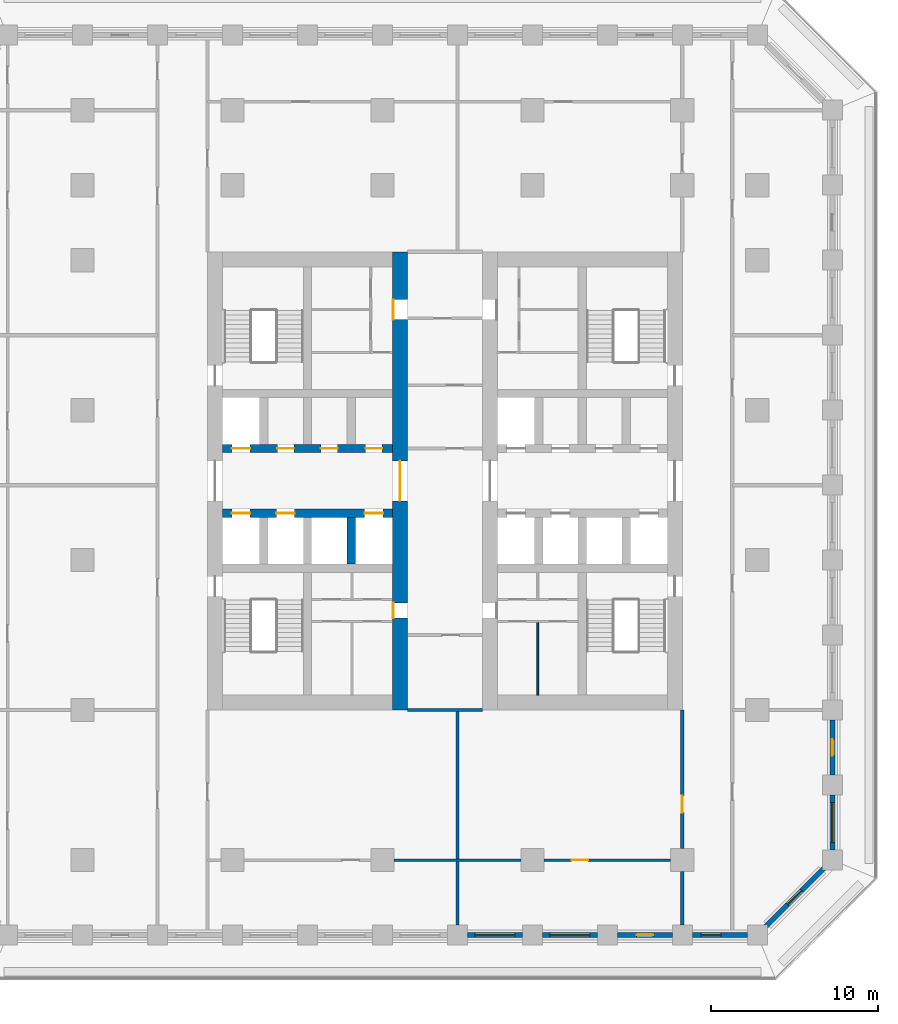
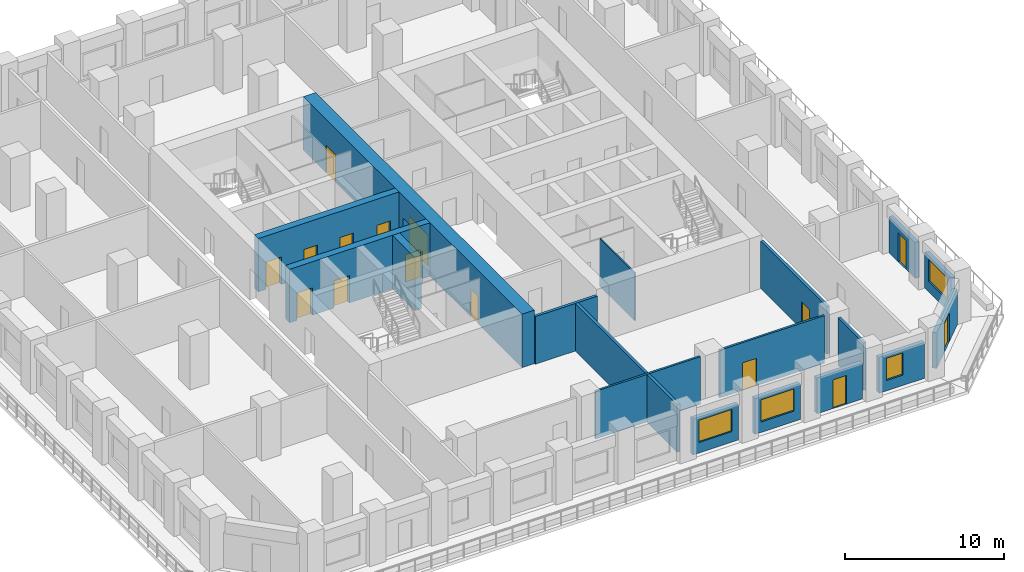
# One storey, part 4 of 16: 18 walls, 15 doors, 4 windows, 19 openings.
"""IFC4 building model written with IfcOpenShell, lengths in metres."""

from ifc_helpers import new_model, si_unit, direction, frame, frame_2d, origin, place, context, subcontext, project, spatial, rectangle, extrude, material, layer, layer_set, type_object, element, fill, save


model = new_model("IFC4")

# Units and contexts
model_context = context("Model", 3, precision=1e-05, world=origin(), true_north=direction((0.0, 1.0)))
body_context = subcontext(model_context, "Body", "Model", "MODEL_VIEW")
ifc_project = project(units=[si_unit("LENGTHUNIT", "METRE"), si_unit("AREAUNIT", "SQUARE_METRE"), si_unit("VOLUMEUNIT", "CUBIC_METRE"), si_unit("PLANEANGLEUNIT", "RADIAN"), si_unit("MASSUNIT", "GRAM", prefix="KILO")], contexts=[model_context])

# Site, building, storey
site_placement = place(None, origin())
site = spatial("IfcSite", under=ifc_project, at=site_placement, CompositionType="ELEMENT")
building_placement = place(site_placement, origin())
building = spatial("IfcBuilding", under=site, at=building_placement, Name="Corbel Stack Research Tower", CompositionType="ELEMENT")
storey_placement = place(building_placement, frame((0.0, 0.0, 137.199951171875)))
storey = spatial("IfcBuildingStorey", under=building, at=storey_placement, Name="L31", CompositionType="ELEMENT", Elevation=137.199951171875)

# Wall, openings, doors
ifc_material_1 = material(Name="Concrete C70/85", Category="concrete")
ifc_layer_1 = layer(ifc_material_1, 0.5)
ifc_layer_set_1 = layer_set([ifc_layer_1], Name="Concrete C70/85")
wall_type_1 = type_object("IfcWallType", Name="CW-500-70", PredefinedType="SHEAR", material=ifc_layer_set_1)
wall_1_placement = place(storey_placement, frame((-9.60009765625, 2.800048828125, 0.0), z_axis=(0.0, 0.0, 1.0), x_axis=(1.0, 0.0, 0.0)))
wall_1 = element("IfcWall", 1, at=wall_1_placement, inside=storey, type_object=wall_type_1, Name="West core wall, lobby south L31", PredefinedType="SHEAR", context=body_context, shape_type="SweptSolid", body=[
    extrude(rectangle(XDim=10.2001953125, YDim=0.5, at=frame_2d((5.10009765625, 0.0))), origin(), (0.0, 0.0, 1.0), 4.10009765625),
])
opening_1_placement = place(wall_1_placement, frame((0.5625, 0.0, 0.0)))
opening_1 = element("IfcOpeningElement", 2, at=opening_1_placement, cuts=wall_1, Name="Opening LD-FS1", PredefinedType="OPENING", context=body_context, shape_type="SweptSolid", body=[
    extrude(rectangle(XDim=1.10009765625, YDim=2.10009765625, at=frame_2d((0.550048828125, 1.050048828125))), frame((0.0, 0.260009765625, 0.0), z_axis=(0.0, -1.0, 0.0), x_axis=(1.0, 0.0, 0.0)), (0.0, 0.0, 1.0), 0.52001953125),
])
opening_2_placement = place(wall_1_placement, frame((3.237548828125, 0.0, 0.0)))
opening_2 = element("IfcOpeningElement", 3, at=opening_2_placement, cuts=wall_1, Name="Opening LD-GL1", PredefinedType="OPENING", context=body_context, shape_type="SweptSolid", body=[
    extrude(rectangle(XDim=1.10009765625, YDim=2.10009765625, at=frame_2d((0.550048828125, 1.050048828125))), frame((0.0, 0.260009765625, 0.0), z_axis=(0.0, -1.0, 0.0), x_axis=(1.0, 0.0, 0.0)), (0.0, 0.0, 1.0), 0.52001953125),
])
opening_3_placement = place(wall_1_placement, frame((8.53759765625, 0.0, 0.0)))
opening_3 = element("IfcOpeningElement", 4, at=opening_3_placement, cuts=wall_1, Name="Opening LD-LR1", PredefinedType="OPENING", context=body_context, shape_type="SweptSolid", body=[
    extrude(rectangle(XDim=1.10009765625, YDim=2.10009765625, at=frame_2d((0.550048828125, 1.050048828125))), frame((0.0, 0.260009765625, 0.0), z_axis=(0.0, -1.0, 0.0), x_axis=(1.0, 0.0, 0.0)), (0.0, 0.0, 1.0), 0.52001953125),
])
ifc_material_2 = material(Name="Stainless steel landing door", Category="steel")
door_type_1 = type_object("IfcDoorType", Name="Lift landing door 1100 x 2100", OperationType="DOUBLE_DOOR_SLIDING", PredefinedType="DOOR", material=ifc_material_2)
door_1_placement = place(opening_1_placement, origin())
door_1 = element("IfcDoor", 5, at=door_1_placement, inside=storey, type_object=door_type_1, Name="Landing door FS1", OperationType="DOUBLE_DOOR_SLIDING", OverallHeight=2.10009765625, OverallWidth=1.10009765625, PredefinedType="DOOR", context=body_context, shape_type="SweptSolid", body=[
    extrude(rectangle(XDim=1.10009765625, YDim=2.10009765625, at=frame_2d((0.550048828125, 1.050048828125))), frame((0.0, 0.02490234375, 0.0), z_axis=(0.0, -1.0, 0.0), x_axis=(1.0, 0.0, 0.0)), (0.0, 0.0, 1.0), 0.050048828125),
])
fill(opening_1, door_1)
door_2_placement = place(opening_2_placement, origin())
door_2 = element("IfcDoor", 6, at=door_2_placement, inside=storey, type_object=door_type_1, Name="Landing door GL1", OperationType="DOUBLE_DOOR_SLIDING", OverallHeight=2.10009765625, OverallWidth=1.10009765625, PredefinedType="DOOR", context=body_context, shape_type="SweptSolid", body=[
    extrude(rectangle(XDim=1.10009765625, YDim=2.10009765625, at=frame_2d((0.550048828125, 1.050048828125))), frame((0.0, 0.02490234375, 0.0), z_axis=(0.0, -1.0, 0.0), x_axis=(1.0, 0.0, 0.0)), (0.0, 0.0, 1.0), 0.050048828125),
])
fill(opening_2, door_2)
door_3_placement = place(opening_3_placement, origin())
door_3 = element("IfcDoor", 7, at=door_3_placement, inside=storey, type_object=door_type_1, Name="Landing door LR1", OperationType="DOUBLE_DOOR_SLIDING", OverallHeight=2.10009765625, OverallWidth=1.10009765625, PredefinedType="DOOR", context=body_context, shape_type="SweptSolid", body=[
    extrude(rectangle(XDim=1.10009765625, YDim=2.10009765625, at=frame_2d((0.550048828125, 1.050048828125))), frame((0.0, 0.02490234375, 0.0), z_axis=(0.0, -1.0, 0.0), x_axis=(1.0, 0.0, 0.0)), (0.0, 0.0, 1.0), 0.050048828125),
])
fill(opening_3, door_3)

wall_2_placement = place(storey_placement, frame((-9.60009765625, 6.699951171875, 0.0), z_axis=(0.0, 0.0, 1.0), x_axis=(1.0, 0.0, 0.0)))
wall_2 = element("IfcWall", 8, at=wall_2_placement, inside=storey, type_object=wall_type_1, Name="West core wall, lobby north L31", PredefinedType="SHEAR", context=body_context, shape_type="SweptSolid", body=[
    extrude(rectangle(XDim=10.2001953125, YDim=0.5, at=frame_2d((5.10009765625, 0.0))), origin(), (0.0, 0.0, 1.0), 4.10009765625),
])
opening_4_placement = place(wall_2_placement, frame((0.5625, 0.0, 0.0)))
opening_4 = element("IfcOpeningElement", 9, at=opening_4_placement, cuts=wall_2, Name="Opening LD-LR2", PredefinedType="OPENING", context=body_context, shape_type="SweptSolid", body=[
    extrude(rectangle(XDim=1.10009765625, YDim=2.10009765625, at=frame_2d((0.550048828125, 1.050048828125))), frame((0.0, 0.260009765625, 0.0), z_axis=(0.0, -1.0, 0.0), x_axis=(1.0, 0.0, 0.0)), (0.0, 0.0, 1.0), 0.52001953125),
])
opening_5_placement = place(wall_2_placement, frame((3.28759765625, 0.0, 0.0)))
opening_5 = element("IfcOpeningElement", 10, at=opening_5_placement, cuts=wall_2, Name="Opening CR-W54-N2", PredefinedType="OPENING", context=body_context, shape_type="SweptSolid", body=[
    extrude(rectangle(XDim=1.0, YDim=2.10009765625, at=frame_2d((0.5, 1.050048828125))), frame((0.0, 0.260009765625, 0.0), z_axis=(0.0, -1.0, 0.0), x_axis=(1.0, 0.0, 0.0)), (0.0, 0.0, 1.0), 0.52001953125),
])
opening_6_placement = place(wall_2_placement, frame((5.91259765625, 0.0, 0.0)))
opening_6 = element("IfcOpeningElement", 11, at=opening_6_placement, cuts=wall_2, Name="Opening CR-W54-N3", PredefinedType="OPENING", context=body_context, shape_type="SweptSolid", body=[
    extrude(rectangle(XDim=1.0, YDim=2.10009765625, at=frame_2d((0.5, 1.050048828125))), frame((0.0, 0.260009765625, 0.0), z_axis=(0.0, -1.0, 0.0), x_axis=(1.0, 0.0, 0.0)), (0.0, 0.0, 1.0), 0.52001953125),
])
opening_7_placement = place(wall_2_placement, frame((8.58740234375, 0.0, 0.0)))
opening_7 = element("IfcOpeningElement", 12, at=opening_7_placement, cuts=wall_2, Name="Opening CR-W54-N4", PredefinedType="OPENING", context=body_context, shape_type="SweptSolid", body=[
    extrude(rectangle(XDim=1.0, YDim=2.10009765625, at=frame_2d((0.5, 1.050048828125))), frame((0.0, 0.260009765625, 0.0), z_axis=(0.0, -1.0, 0.0), x_axis=(1.0, 0.0, 0.0)), (0.0, 0.0, 1.0), 0.52001953125),
])
door_4_placement = place(opening_4_placement, origin())
door_4 = element("IfcDoor", 13, at=door_4_placement, inside=storey, type_object=door_type_1, Name="Landing door LR2", OperationType="DOUBLE_DOOR_SLIDING", OverallHeight=2.10009765625, OverallWidth=1.10009765625, PredefinedType="DOOR", context=body_context, shape_type="SweptSolid", body=[
    extrude(rectangle(XDim=1.10009765625, YDim=2.10009765625, at=frame_2d((0.550048828125, 1.050048828125))), frame((0.0, 0.02490234375, 0.0), z_axis=(0.0, -1.0, 0.0), x_axis=(1.0, 0.0, 0.0)), (0.0, 0.0, 1.0), 0.050048828125),
])
fill(opening_4, door_4)
ifc_material_3 = material(Name="Painted steel door", Category="steel")
door_type_2 = type_object("IfcDoorType", Name="Service door 1000 x 2100 FD60 left hand", OperationType="SINGLE_SWING_LEFT", PredefinedType="DOOR", material=ifc_material_3)
door_5_placement = place(opening_6_placement, origin())
door_5 = element("IfcDoor", 14, at=door_5_placement, inside=storey, type_object=door_type_2, Name="Pantry door W core", OperationType="SINGLE_SWING_LEFT", OverallHeight=2.10009765625, OverallWidth=1.0, PredefinedType="DOOR", context=body_context, shape_type="SweptSolid", body=[
    extrude(rectangle(XDim=1.0, YDim=2.10009765625, at=frame_2d((0.5, 1.050048828125))), frame((0.0, 0.02490234375, 0.0), z_axis=(0.0, -1.0, 0.0), x_axis=(1.0, 0.0, 0.0)), (0.0, 0.0, 1.0), 0.050048828125),
])
fill(opening_6, door_5)
ifc_material_4 = material(Name="Painted steel door", Category="steel")
door_type_3 = type_object("IfcDoorType", Name="Service door 1000 x 2100 FD60 right hand", OperationType="SINGLE_SWING_RIGHT", PredefinedType="DOOR", material=ifc_material_4)
door_6_placement = place(opening_5_placement, origin())
door_6 = element("IfcDoor", 15, at=door_6_placement, inside=storey, type_object=door_type_3, Name="Electrical room door W core", OperationType="SINGLE_SWING_RIGHT", OverallHeight=2.10009765625, OverallWidth=1.0, PredefinedType="DOOR", context=body_context, shape_type="SweptSolid", body=[
    extrude(rectangle(XDim=1.0, YDim=2.10009765625, at=frame_2d((0.5, 1.050048828125))), frame((0.0, 0.02490234375, 0.0), z_axis=(0.0, -1.0, 0.0), x_axis=(1.0, 0.0, 0.0)), (0.0, 0.0, 1.0), 0.050048828125),
])
fill(opening_5, door_6)
door_7_placement = place(opening_7_placement, origin())
door_7 = element("IfcDoor", 16, at=door_7_placement, inside=storey, type_object=door_type_3, Name="Staff WC door W core", OperationType="SINGLE_SWING_RIGHT", OverallHeight=2.10009765625, OverallWidth=1.0, PredefinedType="DOOR", context=body_context, shape_type="SweptSolid", body=[
    extrude(rectangle(XDim=1.0, YDim=2.10009765625, at=frame_2d((0.5, 1.050048828125))), frame((0.0, 0.02490234375, 0.0), z_axis=(0.0, -1.0, 0.0), x_axis=(1.0, 0.0, 0.0)), (0.0, 0.0, 1.0), 0.050048828125),
])
fill(opening_7, door_7)

# Wall
wall_3_placement = place(storey_placement, frame((-1.875, -0.25, 0.0), z_axis=(0.0, 0.0, 1.0), x_axis=(0.0, 1.0, 0.0)))
element("IfcWall", 17, at=wall_3_placement, inside=storey, type_object=wall_type_1, Name="West core wall, south shaft 3 L31", PredefinedType="SHEAR", context=body_context, shape_type="SweptSolid", body=[
    extrude(rectangle(XDim=2.800048828125, YDim=0.5, at=frame_2d((1.39990234375, 0.0))), origin(), (0.0, 0.0, 1.0), 4.10009765625),
])

# Wall, openings, doors
ifc_material_5 = material(Name="Concrete C70/85", Category="concrete")
ifc_layer_2 = layer(ifc_material_5, 0.89990234375)
ifc_layer_set_2 = layer_set([ifc_layer_2], Name="Concrete C70/85")
wall_type_2 = type_object("IfcWallType", Name="CW-900-70", PredefinedType="SHEAR", material=ifc_layer_set_2)
wall_4_placement = place(storey_placement, frame((1.050048828125, -9.0, 0.0), z_axis=(0.0, 0.0, 1.0), x_axis=(0.0, 1.0, 0.0)))
wall_4 = element("IfcWall", 18, at=wall_4_placement, inside=storey, type_object=wall_type_2, Name="West core wall, east face L31", PredefinedType="SHEAR", context=body_context, shape_type="SweptSolid", body=[
    extrude(rectangle(XDim=27.5, YDim=0.89990234375, at=frame_2d((13.75, 0.0))), origin(), (0.0, 0.0, 1.0), 4.10009765625),
])
opening_8_placement = place(wall_4_placement, frame((12.550048828125, 0.0, 0.0)))
opening_8 = element("IfcOpeningElement", 19, at=opening_8_placement, cuts=wall_4, Name="Opening CD-W-E", PredefinedType="OPENING", context=body_context, shape_type="SweptSolid", body=[
    extrude(rectangle(XDim=2.39990234375, YDim=2.39990234375, at=frame_2d((1.199951171875, 1.199951171875))), frame((0.0, 0.4599609375, 0.0), z_axis=(0.0, -1.0, 0.0), x_axis=(1.0, 0.0, 0.0)), (0.0, 0.0, 1.0), 0.919921875),
])
opening_9_placement = place(wall_4_placement, frame((5.510009765625, 0.0, 0.0)))
opening_9 = element("IfcOpeningElement", 20, at=opening_9_placement, cuts=wall_4, Name="Opening CR-W54-W1-923", PredefinedType="OPENING", context=body_context, shape_type="SweptSolid", body=[
    extrude(rectangle(XDim=0.923095703125, YDim=2.10009765625, at=frame_2d((0.46142578125, 1.050048828125))), frame((0.0, 0.4599609375, 0.0), z_axis=(0.0, -1.0, 0.0), x_axis=(1.0, 0.0, 0.0)), (0.0, 0.0, 1.0), 0.919921875),
])
opening_10_placement = place(wall_4_placement, frame((23.427490234375, 0.0, 0.0)))
opening_10 = element("IfcOpeningElement", 21, at=opening_10_placement, cuts=wall_4, Name="Opening CR-W54-R2-1200", PredefinedType="OPENING", context=body_context, shape_type="SweptSolid", body=[
    extrude(rectangle(XDim=1.199951171875, YDim=2.10009765625, at=frame_2d((0.60009765625, 1.050048828125))), frame((0.0, 0.4599609375, 0.0), z_axis=(0.0, -1.0, 0.0), x_axis=(1.0, 0.0, 0.0)), (0.0, 0.0, 1.0), 0.919921875),
])
ifc_material_6 = material(Name="Painted steel fire door", Category="steel")
door_type_4 = type_object("IfcDoorType", Name="Lobby door pair 2400 x 2400 FD30S", OperationType="DOUBLE_DOOR_DOUBLE_SWING", PredefinedType="DOOR", material=ifc_material_6)
door_8_placement = place(opening_8_placement, origin())
door_8 = element("IfcDoor", 22, at=door_8_placement, inside=storey, type_object=door_type_4, Name="Lift lobby door W core E", OperationType="DOUBLE_DOOR_DOUBLE_SWING", OverallHeight=2.39990234375, OverallWidth=2.39990234375, PredefinedType="DOOR", context=body_context, shape_type="SweptSolid", body=[
    extrude(rectangle(XDim=2.39990234375, YDim=2.39990234375, at=frame_2d((1.199951171875, 1.199951171875))), frame((0.0, 0.02490234375, 0.0), z_axis=(0.0, -1.0, 0.0), x_axis=(1.0, 0.0, 0.0)), (0.0, 0.0, 1.0), 0.050048828125),
])
fill(opening_8, door_8)
ifc_material_7 = material(Name="Painted steel door", Category="steel")
door_type_5 = type_object("IfcDoorType", Name="Service door 1200 x 2100 FD30 right hand", OperationType="SINGLE_SWING_RIGHT", PredefinedType="DOOR", material=ifc_material_7)
door_9_placement = place(opening_10_placement, origin())
door_9 = element("IfcDoor", 23, at=door_9_placement, inside=storey, type_object=door_type_5, Name="Service passage door W core", OperationType="SINGLE_SWING_RIGHT", OverallHeight=2.10009765625, OverallWidth=1.199951171875, PredefinedType="DOOR", context=body_context, shape_type="SweptSolid", body=[
    extrude(rectangle(XDim=1.199951171875, YDim=2.10009765625, at=frame_2d((0.60009765625, 1.050048828125))), frame((0.0, 0.4248046875, 0.0), z_axis=(0.0, -1.0, 0.0), x_axis=(1.0, 0.0, 0.0)), (0.0, 0.0, 1.0), 0.050048828125),
])
fill(opening_10, door_9)
ifc_material_8 = material(Name="Painted timber door", Category="wood")
door_type_6 = type_object("IfcDoorType", Name="WC door 923 x 2100 left hand", OperationType="SINGLE_SWING_LEFT", PredefinedType="DOOR", material=ifc_material_8)
door_10_placement = place(opening_9_placement, origin())
door_10 = element("IfcDoor", 24, at=door_10_placement, inside=storey, type_object=door_type_6, Name="WC lobby door W core", OperationType="SINGLE_SWING_LEFT", OverallHeight=2.10009765625, OverallWidth=0.923095703125, PredefinedType="DOOR", context=body_context, shape_type="SweptSolid", body=[
    extrude(rectangle(XDim=0.923095703125, YDim=2.10009765625, at=frame_2d((0.46142578125, 1.050048828125))), frame((0.0, 0.4248046875, 0.0), z_axis=(0.0, -1.0, 0.0), x_axis=(1.0, 0.0, 0.0)), (0.0, 0.0, 1.0), 0.050048828125),
])
fill(opening_9, door_10)

# Walls
ifc_material_9 = material(Name="Gypsum board")
ifc_layer_3 = layer(ifc_material_9, 0.10009765625)
ifc_layer_set_3 = layer_set([ifc_layer_3], Name="Gypsum board")
wall_type_3 = type_object("IfcWallType", Name="Core partition 100", PredefinedType="PARTITIONING", material=ifc_layer_set_3)
wall_5_placement = place(storey_placement, frame((9.324951171875, -8.10009765625, 0.0), z_axis=(0.0, 0.0, 1.0), x_axis=(0.0, 1.0, 0.0)))
element("IfcWall", 25, at=wall_5_placement, inside=storey, type_object=wall_type_3, Name="Core partition E", PredefinedType="PARTITIONING", context=body_context, shape_type="SweptSolid", body=[
    extrude(rectangle(XDim=4.41015625, YDim=0.10009765625, at=frame_2d((2.205078125, 0.0))), origin(), (0.0, 0.0, 1.0), 3.650146484375),
])
ifc_material_10 = material(Name="Fire-rated gypsum board partition on steel studs", Category="steel")
ifc_layer_4 = layer(ifc_material_10, 0.199951171875)
ifc_layer_set_4 = layer_set([ifc_layer_4], Name="Fire-rated gypsum board partition on steel studs")
wall_type_4 = type_object("IfcWallType", Name="Fire-rated partition 200 EI 60", PredefinedType="PARTITIONING", material=ifc_layer_set_4)
wall_6_placement = place(storey_placement, frame((4.5, -21.89990234375, 0.0), z_axis=(0.0, 0.0, 1.0), x_axis=(0.0, 1.0, 0.0)))
element("IfcWall", 26, at=wall_6_placement, inside=storey, type_object=wall_type_4, Name="Partition L31-005", PredefinedType="PARTITIONING", context=body_context, shape_type="SweptSolid", body=[
    extrude(rectangle(XDim=12.89990234375, YDim=0.199951171875, at=frame_2d((6.449951171875, 0.0))), origin(), (0.0, 0.0, 1.0), 3.650146484375),
])
wall_7_placement = place(storey_placement, frame((18.0, -21.89990234375, 0.0), z_axis=(0.0, 0.0, 1.0), x_axis=(0.0, 1.0, 0.0)))
element("IfcWall", 27, at=wall_7_placement, inside=storey, type_object=wall_type_4, Name="Partition L31-007", PredefinedType="PARTITIONING", context=body_context, shape_type="SweptSolid", body=[
    extrude(rectangle(XDim=3.199951171875, YDim=0.199951171875, at=frame_2d((1.60009765625, 0.0))), origin(), (0.0, 0.0, 1.0), 3.650146484375),
])

# Wall, opening, door
wall_8_placement = place(storey_placement, frame((18.0, -17.300048828125, 0.0), z_axis=(0.0, 0.0, 1.0), x_axis=(0.0, 1.0, 0.0)))
wall_8 = element("IfcWall", 28, at=wall_8_placement, inside=storey, type_object=wall_type_4, Name="Partition L31-008", PredefinedType="PARTITIONING", context=body_context, shape_type="SweptSolid", body=[
    extrude(rectangle(XDim=8.300048828125, YDim=0.199951171875, at=frame_2d((4.14990234375, 0.0))), origin(), (0.0, 0.0, 1.0), 3.650146484375),
])
opening_11_placement = place(wall_8_placement, frame((2.14990234375, 0.0, 0.0)))
opening_11 = element("IfcOpeningElement", 29, at=opening_11_placement, cuts=wall_8, Name="Opening B4V2-019", PredefinedType="OPENING", context=body_context, shape_type="SweptSolid", body=[
    extrude(rectangle(XDim=1.0, YDim=2.10009765625, at=frame_2d((0.5, 1.050048828125))), frame((0.0, 0.10986328125, 0.0), z_axis=(0.0, -1.0, 0.0), x_axis=(1.0, 0.0, 0.0)), (0.0, 0.0, 1.0), 0.219970703125),
])
ifc_material_11 = material(Name="Painted steel fire door", Category="steel")
door_type_7 = type_object("IfcDoorType", Name="Fire door FD30S 1000 x 2100", OperationType="NOTDEFINED", PredefinedType="DOOR", material=ifc_material_11)
door_11_placement = place(opening_11_placement, origin())
door_11 = element("IfcDoor", 30, at=door_11_placement, inside=storey, type_object=door_type_7, Name="Door B4V2-019", OperationType="SINGLE_SWING_LEFT", OverallHeight=2.10009765625, OverallWidth=1.0, PredefinedType="DOOR", context=body_context, shape_type="SweptSolid", body=[
    extrude(rectangle(XDim=1.0, YDim=2.10009765625, at=frame_2d((0.5, 1.050048828125))), frame((0.0, 0.02490234375, 0.0), z_axis=(0.0, -1.0, 0.0), x_axis=(1.0, 0.0, 0.0)), (0.0, 0.0, 1.0), 0.050048828125),
])
fill(opening_11, door_11)

# Walls
wall_9_placement = place(storey_placement, frame((1.5, -9.0, 0.0), z_axis=(0.0, 0.0, 1.0), x_axis=(1.0, 0.0, 0.0)))
element("IfcWall", 31, at=wall_9_placement, inside=storey, type_object=wall_type_4, Name="Partition L31-019", PredefinedType="PARTITIONING", context=body_context, shape_type="SweptSolid", body=[
    extrude(rectangle(XDim=4.5, YDim=0.199951171875, at=frame_2d((2.25, 0.0))), origin(), (0.0, 0.0, 1.0), 3.650146484375),
])
ifc_material_12 = material(Name="Gypsum board partition on steel studs", Category="steel")
ifc_layer_5 = layer(ifc_material_12, 0.14990234375)
ifc_layer_set_5 = layer_set([ifc_layer_5], Name="Gypsum board partition on steel studs")
wall_type_5 = type_object("IfcWallType", Name="Partition 150", PredefinedType="PARTITIONING", material=ifc_layer_set_5)
wall_10_placement = place(storey_placement, frame((0.699951171875, -18.0, 0.0), z_axis=(0.0, 0.0, 1.0), x_axis=(1.0, 0.0, 0.0)))
element("IfcWall", 32, at=wall_10_placement, inside=storey, type_object=wall_type_5, Name="Partition L31-015", PredefinedType="PARTITIONING", context=body_context, shape_type="SweptSolid", body=[
    extrude(rectangle(XDim=7.60009765625, YDim=0.14990234375, at=frame_2d((3.800048828125, 0.0))), origin(), (0.0, 0.0, 1.0), 3.650146484375),
])

# Wall, opening, door
wall_11_placement = place(storey_placement, frame((17.300048828125, -18.0, 0.0), z_axis=(0.0, 0.0, 1.0), x_axis=(-1.0, 0.0, 0.0)))
wall_11 = element("IfcWall", 33, at=wall_11_placement, inside=storey, type_object=wall_type_5, Name="Partition L31-016", PredefinedType="PARTITIONING", context=body_context, shape_type="SweptSolid", body=[
    extrude(rectangle(XDim=7.60009765625, YDim=0.14990234375, at=frame_2d((3.800048828125, 0.0))), origin(), (0.0, 0.0, 1.0), 3.650146484375),
])
opening_12_placement = place(wall_11_placement, frame((4.949951171875, 0.0, 0.0)))
opening_12 = element("IfcOpeningElement", 34, at=opening_12_placement, cuts=wall_11, Name="Opening B4V2-007", PredefinedType="OPENING", context=body_context, shape_type="SweptSolid", body=[
    extrude(rectangle(XDim=1.0, YDim=2.10009765625, at=frame_2d((0.5, 1.050048828125))), frame((0.0, 0.0849609375, 0.0), z_axis=(0.0, -1.0, 0.0), x_axis=(1.0, 0.0, 0.0)), (0.0, 0.0, 1.0), 0.169921875),
])
ifc_material_13 = material(Name="Painted timber door", Category="wood")
door_type_8 = type_object("IfcDoorType", Name="Single door 1000 x 2100", OperationType="NOTDEFINED", PredefinedType="DOOR", material=ifc_material_13)
door_12_placement = place(opening_12_placement, origin())
door_12 = element("IfcDoor", 35, at=door_12_placement, inside=storey, type_object=door_type_8, Name="Door B4V2-007", OperationType="SINGLE_SWING_RIGHT", OverallHeight=2.10009765625, OverallWidth=1.0, PredefinedType="DOOR", context=body_context, shape_type="SweptSolid", body=[
    extrude(rectangle(XDim=1.0, YDim=2.10009765625, at=frame_2d((0.5, 1.050048828125))), frame((0.0, 0.02490234375, 0.0), z_axis=(0.0, -1.0, 0.0), x_axis=(1.0, 0.0, 0.0)), (0.0, 0.0, 1.0), 0.050048828125),
])
fill(opening_12, door_12)

# Wall, opening, window
ifc_material_14 = material(Name="Concrete C45/55", Category="concrete")
ifc_layer_6 = layer(ifc_material_14, 0.300048828125)
ifc_layer_set_6 = layer_set([ifc_layer_6], Name="Concrete C45/55")
wall_type_6 = type_object("IfcWallType", Name="Terracotta-faced concrete wall 300", PredefinedType="SOLIDWALL", material=ifc_layer_set_6)
wall_12_placement = place(storey_placement, frame((8.39990234375, -22.5, 0.0), z_axis=(0.0, 0.0, 1.0), x_axis=(-1.0, 0.0, 0.0)))
wall_12 = element("IfcWall", 36, at=wall_12_placement, inside=storey, type_object=wall_type_6, Name="Facade wall L31 S07", PredefinedType="SOLIDWALL", context=body_context, shape_type="SweptSolid", body=[
    extrude(rectangle(XDim=3.2998046875, YDim=0.300048828125, at=frame_2d((1.64990234375, 0.0))), origin(), (0.0, 0.0, 1.0), 2.75),
])
opening_13_placement = place(wall_12_placement, frame((0.449951171875, 0.0, 0.800048828125)))
opening_13 = element("IfcOpeningElement", 37, at=opening_13_placement, cuts=wall_12, Name="Opening W1", PredefinedType="OPENING", context=body_context, shape_type="SweptSolid", body=[
    extrude(rectangle(XDim=2.39990234375, YDim=1.699951171875, at=frame_2d((1.199951171875, 0.85009765625))), frame((0.0, 0.159912109375, 0.0), z_axis=(0.0, -1.0, 0.0), x_axis=(1.0, 0.0, 0.0)), (0.0, 0.0, 1.0), 0.320068359375),
])
ifc_material_15 = material(Name="Aluminium frame, clear double glazing", Category="aluminium")
window_type_1 = type_object("IfcWindowType", Name="Window W1 2400 x 1700", PartitioningType="SINGLE_PANEL", PredefinedType="WINDOW", material=ifc_material_15)
window_1_placement = place(opening_13_placement, origin())
window_1 = element("IfcWindow", 38, at=window_1_placement, inside=storey, type_object=window_type_1, Name="Window W1 L31 S07", OverallHeight=1.699951171875, OverallWidth=2.39990234375, PartitioningType="SINGLE_PANEL", PredefinedType="WINDOW", context=body_context, shape_type="SweptSolid", body=[
    extrude(rectangle(XDim=2.39990234375, YDim=1.699951171875, at=frame_2d((1.199951171875, 0.85009765625))), frame((0.0, 0.030029296875, 0.0), z_axis=(0.0, -1.0, 0.0), x_axis=(1.0, 0.0, 0.0)), (0.0, 0.0, 1.0), 0.06005859375),
])
fill(opening_13, window_1)

wall_13_placement = place(storey_placement, frame((12.89990234375, -22.5, 0.0), z_axis=(0.0, 0.0, 1.0), x_axis=(-1.0, 0.0, 0.0)))
wall_13 = element("IfcWall", 39, at=wall_13_placement, inside=storey, type_object=wall_type_6, Name="Facade wall L31 S08", PredefinedType="SOLIDWALL", context=body_context, shape_type="SweptSolid", body=[
    extrude(rectangle(XDim=3.2998046875, YDim=0.300048828125, at=frame_2d((1.64990234375, 0.0))), origin(), (0.0, 0.0, 1.0), 2.75),
])
opening_14_placement = place(wall_13_placement, frame((0.449951171875, 0.0, 0.800048828125)))
opening_14 = element("IfcOpeningElement", 40, at=opening_14_placement, cuts=wall_13, Name="Opening W1", PredefinedType="OPENING", context=body_context, shape_type="SweptSolid", body=[
    extrude(rectangle(XDim=2.39990234375, YDim=1.699951171875, at=frame_2d((1.199951171875, 0.85009765625))), frame((0.0, 0.159912109375, 0.0), z_axis=(0.0, -1.0, 0.0), x_axis=(1.0, 0.0, 0.0)), (0.0, 0.0, 1.0), 0.320068359375),
])
window_2_placement = place(opening_14_placement, origin())
window_2 = element("IfcWindow", 41, at=window_2_placement, inside=storey, type_object=window_type_1, Name="Window W1 L31 S08", OverallHeight=1.699951171875, OverallWidth=2.39990234375, PartitioningType="SINGLE_PANEL", PredefinedType="WINDOW", context=body_context, shape_type="SweptSolid", body=[
    extrude(rectangle(XDim=2.39990234375, YDim=1.699951171875, at=frame_2d((1.199951171875, 0.85009765625))), frame((0.0, 0.030029296875, 0.0), z_axis=(0.0, -1.0, 0.0), x_axis=(1.0, 0.0, 0.0)), (0.0, 0.0, 1.0), 0.06005859375),
])
fill(opening_14, window_2)

# Wall, opening, door
wall_14_placement = place(storey_placement, frame((17.39990234375, -22.5, 0.0), z_axis=(0.0, 0.0, 1.0), x_axis=(-1.0, 0.0, 0.0)))
wall_14 = element("IfcWall", 42, at=wall_14_placement, inside=storey, type_object=wall_type_6, Name="Facade wall L31 S09", PredefinedType="SOLIDWALL", context=body_context, shape_type="SweptSolid", body=[
    extrude(rectangle(XDim=3.2998046875, YDim=0.300048828125, at=frame_2d((1.64990234375, 0.0))), origin(), (0.0, 0.0, 1.0), 2.75),
])
opening_15_placement = place(wall_14_placement, frame((1.14990234375, 0.0, 0.0)))
opening_15 = element("IfcOpeningElement", 43, at=opening_15_placement, cuts=wall_14, Name="Opening L31-B02", PredefinedType="OPENING", context=body_context, shape_type="SweptSolid", body=[
    extrude(rectangle(XDim=1.0, YDim=2.199951171875, at=frame_2d((0.5, 1.10009765625))), frame((0.0, 0.159912109375, 0.0), z_axis=(0.0, -1.0, 0.0), x_axis=(1.0, 0.0, 0.0)), (0.0, 0.0, 1.0), 0.320068359375),
])
ifc_material_16 = material(Name="Aluminium frame, clear double glazing", Category="aluminium")
door_type_9 = type_object("IfcDoorType", Name="Balcony door BD1 1000 x 2200", OperationType="NOTDEFINED", PredefinedType="DOOR", material=ifc_material_16)
door_13_placement = place(opening_15_placement, origin())
door_13 = element("IfcDoor", 44, at=door_13_placement, inside=storey, type_object=door_type_9, Name="Balcony door L31-B02", OperationType="SINGLE_SWING_RIGHT", OverallHeight=2.199951171875, OverallWidth=1.0, PredefinedType="DOOR", context=body_context, shape_type="SweptSolid", body=[
    extrude(rectangle(XDim=1.0, YDim=2.199951171875, at=frame_2d((0.5, 1.10009765625))), frame((0.0, 0.02490234375, 0.0), z_axis=(0.0, -1.0, 0.0), x_axis=(1.0, 0.0, 0.0)), (0.0, 0.0, 1.0), 0.050048828125),
])
fill(opening_15, door_13)

# Wall, opening, window
wall_15_placement = place(storey_placement, frame((21.89990234375, -22.5, 0.0), z_axis=(0.0, 0.0, 1.0), x_axis=(-1.0, 0.0, 0.0)))
wall_15 = element("IfcWall", 45, at=wall_15_placement, inside=storey, type_object=wall_type_6, Name="Facade wall L31 S10", PredefinedType="SOLIDWALL", context=body_context, shape_type="SweptSolid", body=[
    extrude(rectangle(XDim=3.2998046875, YDim=0.300048828125, at=frame_2d((1.64990234375, 0.0))), origin(), (0.0, 0.0, 1.0), 2.75),
])
opening_16_placement = place(wall_15_placement, frame((1.574951171875, 0.0, 0.800048828125)))
opening_16 = element("IfcOpeningElement", 46, at=opening_16_placement, cuts=wall_15, Name="Opening W2", PredefinedType="OPENING", context=body_context, shape_type="SweptSolid", body=[
    extrude(rectangle(XDim=1.199951171875, YDim=1.699951171875, at=frame_2d((0.60009765625, 0.85009765625))), frame((0.0, 0.159912109375, 0.0), z_axis=(0.0, -1.0, 0.0), x_axis=(1.0, 0.0, 0.0)), (0.0, 0.0, 1.0), 0.320068359375),
])
ifc_material_17 = material(Name="Aluminium frame, clear double glazing", Category="aluminium")
window_type_2 = type_object("IfcWindowType", Name="Window W2 1200 x 1700", PartitioningType="SINGLE_PANEL", PredefinedType="WINDOW", material=ifc_material_17)
window_3_placement = place(opening_16_placement, origin())
window_3 = element("IfcWindow", 47, at=window_3_placement, inside=storey, type_object=window_type_2, Name="Window W2 L31 S10", OverallHeight=1.699951171875, OverallWidth=1.199951171875, PartitioningType="SINGLE_PANEL", PredefinedType="WINDOW", context=body_context, shape_type="SweptSolid", body=[
    extrude(rectangle(XDim=1.199951171875, YDim=1.699951171875, at=frame_2d((0.60009765625, 0.85009765625))), frame((0.0, 0.030029296875, 0.0), z_axis=(0.0, -1.0, 0.0), x_axis=(1.0, 0.0, 0.0)), (0.0, 0.0, 1.0), 0.06005859375),
])
fill(opening_16, window_3)

# Wall, opening, door
wall_16_placement = place(storey_placement, frame((26.506103515625, -18.493896484375, 0.0), z_axis=(0.0, 0.0, 1.0), x_axis=(-0.707106781187, -0.707106781187, 0.0)))
wall_16 = element("IfcWall", 48, at=wall_16_placement, inside=storey, type_object=wall_type_6, Name="Facade wall L31 SE01", PredefinedType="SOLIDWALL", context=body_context, shape_type="SweptSolid", body=[
    extrude(rectangle(XDim=4.967041015625, YDim=0.300048828125, at=frame_2d((2.4833984375, 0.0))), origin(), (0.0, 0.0, 1.0), 2.75),
])
opening_17_placement = place(wall_16_placement, frame((1.883544921875, 0.0, 0.0)))
opening_17 = element("IfcOpeningElement", 49, at=opening_17_placement, cuts=wall_16, Name="Opening L31-B03", PredefinedType="OPENING", context=body_context, shape_type="SweptSolid", body=[
    extrude(rectangle(XDim=1.199951171875, YDim=2.199951171875, at=frame_2d((0.60009765625, 1.10009765625))), frame((0.0, 0.159912109375, 0.0), z_axis=(0.0, -1.0, 0.0), x_axis=(1.0, 0.0, 0.0)), (0.0, 0.0, 1.0), 0.320068359375),
])
ifc_material_18 = material(Name="Aluminium frame, clear double glazing", Category="aluminium")
door_type_10 = type_object("IfcDoorType", Name="Balcony door BD2 1200 x 2200", OperationType="NOTDEFINED", PredefinedType="DOOR", material=ifc_material_18)
door_14_placement = place(opening_17_placement, origin())
door_14 = element("IfcDoor", 50, at=door_14_placement, inside=storey, type_object=door_type_10, Name="Balcony door L31-B03", OperationType="SINGLE_SWING_RIGHT", OverallHeight=2.199951171875, OverallWidth=1.199951171875, PredefinedType="DOOR", context=body_context, shape_type="SweptSolid", body=[
    extrude(rectangle(XDim=1.199951171875, YDim=2.199951171875, at=frame_2d((0.60009765625, 1.10009765625))), frame((0.0, 0.02490234375, 0.0), z_axis=(0.0, -1.0, 0.0), x_axis=(1.0, 0.0, 0.0)), (0.0, 0.0, 1.0), 0.050048828125),
])
fill(opening_17, door_14)

# Wall, opening, window
wall_17_placement = place(storey_placement, frame((27.0, -14.10009765625, 0.0), z_axis=(0.0, 0.0, 1.0), x_axis=(0.0, -1.0, 0.0)))
wall_17 = element("IfcWall", 51, at=wall_17_placement, inside=storey, type_object=wall_type_6, Name="Facade wall L31 E01", PredefinedType="SOLIDWALL", context=body_context, shape_type="SweptSolid", body=[
    extrude(rectangle(XDim=3.2998046875, YDim=0.300048828125, at=frame_2d((1.64990234375, 0.0))), origin(), (0.0, 0.0, 1.0), 2.75),
])
opening_18_placement = place(wall_17_placement, frame((0.449951171875, 0.0, 0.800048828125)))
opening_18 = element("IfcOpeningElement", 52, at=opening_18_placement, cuts=wall_17, Name="Opening W1", PredefinedType="OPENING", context=body_context, shape_type="SweptSolid", body=[
    extrude(rectangle(XDim=2.39990234375, YDim=1.699951171875, at=frame_2d((1.199951171875, 0.85009765625))), frame((0.0, 0.159912109375, 0.0), z_axis=(0.0, -1.0, 0.0), x_axis=(1.0, 0.0, 0.0)), (0.0, 0.0, 1.0), 0.320068359375),
])
window_4_placement = place(opening_18_placement, origin())
window_4 = element("IfcWindow", 53, at=window_4_placement, inside=storey, type_object=window_type_1, Name="Window W1 L31 E01", OverallHeight=1.699951171875, OverallWidth=2.39990234375, PartitioningType="SINGLE_PANEL", PredefinedType="WINDOW", context=body_context, shape_type="SweptSolid", body=[
    extrude(rectangle(XDim=2.39990234375, YDim=1.699951171875, at=frame_2d((1.199951171875, 0.85009765625))), frame((0.0, 0.030029296875, 0.0), z_axis=(0.0, -1.0, 0.0), x_axis=(1.0, 0.0, 0.0)), (0.0, 0.0, 1.0), 0.06005859375),
])
fill(opening_18, window_4)

# Wall, opening, door
wall_18_placement = place(storey_placement, frame((27.0, -9.60009765625, 0.0), z_axis=(0.0, 0.0, 1.0), x_axis=(0.0, -1.0, 0.0)))
wall_18 = element("IfcWall", 54, at=wall_18_placement, inside=storey, type_object=wall_type_6, Name="Facade wall L31 E02", PredefinedType="SOLIDWALL", context=body_context, shape_type="SweptSolid", body=[
    extrude(rectangle(XDim=3.2998046875, YDim=0.300048828125, at=frame_2d((1.64990234375, 0.0))), origin(), (0.0, 0.0, 1.0), 2.75),
])
opening_19_placement = place(wall_18_placement, frame((1.14990234375, 0.0, 0.0)))
opening_19 = element("IfcOpeningElement", 55, at=opening_19_placement, cuts=wall_18, Name="Opening L31-B04", PredefinedType="OPENING", context=body_context, shape_type="SweptSolid", body=[
    extrude(rectangle(XDim=1.0, YDim=2.199951171875, at=frame_2d((0.5, 1.10009765625))), frame((0.0, 0.159912109375, 0.0), z_axis=(0.0, -1.0, 0.0), x_axis=(1.0, 0.0, 0.0)), (0.0, 0.0, 1.0), 0.320068359375),
])
door_15_placement = place(opening_19_placement, origin())
door_15 = element("IfcDoor", 56, at=door_15_placement, inside=storey, type_object=door_type_9, Name="Balcony door L31-B04", OperationType="SINGLE_SWING_LEFT", OverallHeight=2.199951171875, OverallWidth=1.0, PredefinedType="DOOR", context=body_context, shape_type="SweptSolid", body=[
    extrude(rectangle(XDim=1.0, YDim=2.199951171875, at=frame_2d((0.5, 1.10009765625))), frame((0.0, 0.02490234375, 0.0), z_axis=(0.0, -1.0, 0.0), x_axis=(1.0, 0.0, 0.0)), (0.0, 0.0, 1.0), 0.050048828125),
])
fill(opening_19, door_15)

save(model, "model.ifc")
